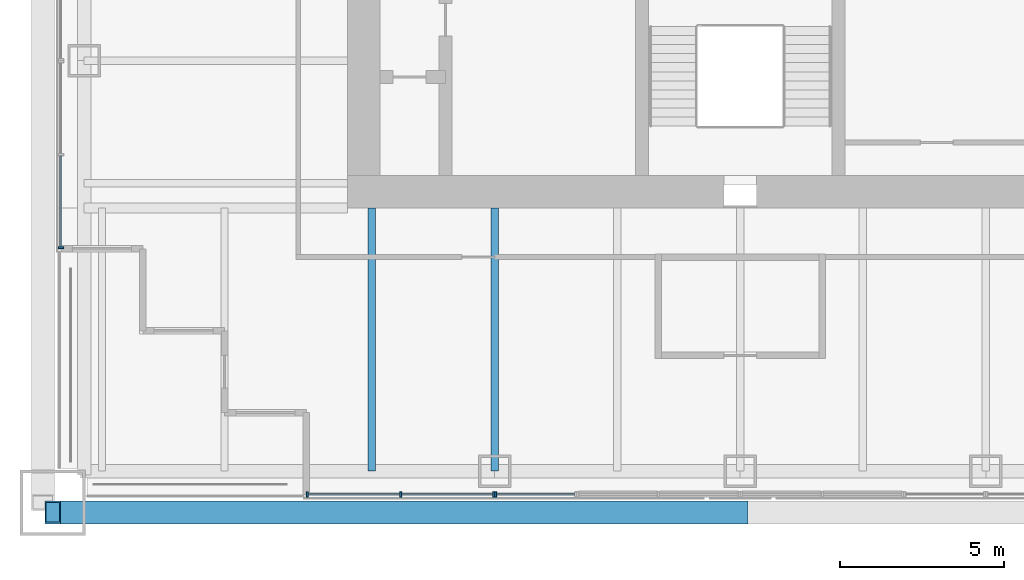
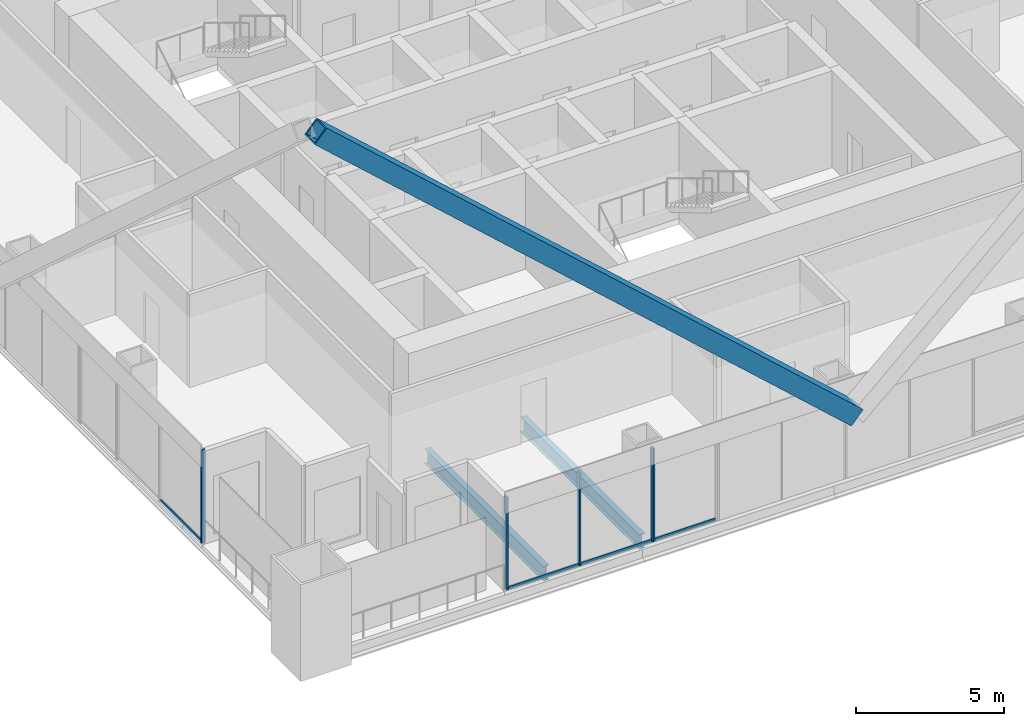
# One storey, part 2 of 19: 10 members, 2 beams, 3 elements without a shape of their own.
"""IFC4 building model written with IfcOpenShell, lengths in metres."""

from ifc_helpers import new_model, si_unit, direction, frame, origin, origin_2d, place, context, subcontext, project, spatial, rectangle, hollow_rectangle, i_section, extrude, material, material_profile, profile_set, type_object, element, aggregate, save


model = new_model("IFC4")

# Units and contexts
model_context = context("Model", 3, precision=1e-05, world=origin(), true_north=direction((0.0, 1.0)))
body_context = subcontext(model_context, "Body", "Model", "MODEL_VIEW")
ifc_project = project(units=[si_unit("LENGTHUNIT", "METRE"), si_unit("AREAUNIT", "SQUARE_METRE"), si_unit("VOLUMEUNIT", "CUBIC_METRE"), si_unit("PLANEANGLEUNIT", "RADIAN"), si_unit("MASSUNIT", "GRAM", prefix="KILO")], contexts=[model_context])

# Site, building, storey
site_placement = place(None, origin())
site = spatial("IfcSite", under=ifc_project, at=site_placement, CompositionType="ELEMENT")
building_placement = place(site_placement, origin())
building = spatial("IfcBuilding", under=site, at=building_placement, Name="Tarangal Relay Tower", CompositionType="ELEMENT")
storey_placement = place(building_placement, frame((0.0, 0.0, 275.89990234375)))
storey = spatial("IfcBuildingStorey", under=building, at=storey_placement, Name="L60", CompositionType="ELEMENT", Elevation=275.89990234375)

# Beams
ifc_material_1 = material(Name="Steel ASTM A992", Category="steel")
ifc_material_profile_1 = material_profile(ifc_material_1, i_section(OverallWidth=0.228271484375, OverallDepth=0.607177734375, WebThickness=0.01123046875, FlangeThickness=0.017333984375, at=origin_2d()), Name="W24X76")
ifc_profile_set_1 = profile_set([ifc_material_profile_1], Name="Steel ASTM A992")
beam_type = type_object("IfcBeamType", Name="Floor beam W24X76", PredefinedType="BEAM", material=ifc_profile_set_1)
for number, where, z_axis, x_axis, name in (
    (1, (-7.5, -12.0, -0.453369140625), (0.0, -1.0, 0.0), (1.0, 0.0, 0.0), "Floor beam RB5 S L60"),
    (2, (-11.25, -12.0, -0.453369140625), (0.0, -1.0, 0.0), (1.0, 0.0, 0.0), "Floor beam RB5 S L60"),
):
    element("IfcBeam", number, at=place(storey_placement, frame(where, z_axis=z_axis, x_axis=x_axis)), inside=storey, type_object=beam_type, Name=name, PredefinedType="BEAM", context=body_context, shape_type="SweptSolid", body=[
        extrude(i_section(OverallWidth=0.228271484375, OverallDepth=0.607177734375, WebThickness=0.01123046875, FlangeThickness=0.017333984375, at=origin_2d()), origin(), (0.0, 0.0, 1.0), 8.0400390625),
    ])

# Member
ifc_material_2 = material(Name="Steel ASTM A572 Grade 50", Category="steel")
ifc_material_profile_2 = material_profile(ifc_material_2, hollow_rectangle(XDim=0.699951171875, YDim=0.699951171875, WallThickness=0.052001953125, at=origin_2d()), Name="BOX700X700X52")
ifc_profile_set_2 = profile_set([ifc_material_profile_2], Name="Steel ASTM A572 Grade 50")
member_type_1 = type_object("IfcMemberType", Name="Mega brace BOX700X700X52", PredefinedType="BRACE", material=ifc_profile_set_2)
member_1_placement = place(storey_placement, frame((0.0, -21.300048828125, 3.0), z_axis=(-0.741535779124, 0.0, 0.670913323969), x_axis=(0.0, -1.0, 0.0)))
element("IfcMember", 3, at=member_1_placement, inside=storey, type_object=member_type_1, Name="Mega brace MB4 S face module 1", PredefinedType="BRACE", context=body_context, shape_type="SweptSolid", body=[
    extrude(hollow_rectangle(XDim=0.699951171875, YDim=0.699951171875, WallThickness=0.052001953125, at=origin_2d()), origin(), (0.0, 0.0, 1.0), 28.319580078125),
])

# Curtain wall, member
ifc_material_3 = material(Name="Unitised curtain wall, dark glass and black aluminium", Category="aluminium")
curtain_wall_type = type_object("IfcCurtainWallType", Name="Curtain wall CW-B", PredefinedType="USERDEFINED", material=ifc_material_3)
curtain_wall_1_placement = place(storey_placement, origin())
curtain_wall_1 = element("IfcCurtainWall", 4, at=curtain_wall_1_placement, inside=storey, type_object=curtain_wall_type, Name="Curtain wall CW-B S facade L60", ObjectType="UNITISED CURTAIN WALL", PredefinedType="USERDEFINED")
ifc_material_4 = material(Name="Black anodised aluminium mullion", Category="aluminium")
ifc_material_profile_3 = material_profile(ifc_material_4, rectangle(XDim=0.159912109375, YDim=0.06005859375, at=origin_2d()), Name="CW-BM 60X160")
ifc_profile_set_3 = profile_set([ifc_material_profile_3], Name="Black anodised aluminium mullion")
member_type_2 = type_object("IfcMemberType", Name="Mullion CW-B 60 x 160", PredefinedType="MULLION", material=ifc_profile_set_3)
member_2_placement = place(storey_placement, frame((-7.469970703125, -20.75, 0.0), z_axis=(0.0, 0.0, 1.0), x_axis=(0.0, -1.0, 0.0)))
member_2 = element("IfcMember", 5, at=member_2_placement, type_object=member_type_2, Name="CW-B mullion 2", PredefinedType="MULLION", context=body_context, shape_type="SweptSolid", body=[
    extrude(rectangle(XDim=0.159912109375, YDim=0.06005859375, at=origin_2d()), origin(), (0.0, 0.0, 1.0), 3.85009765625),
])

# Curtain wall, members
curtain_wall_2_placement = place(storey_placement, origin())
curtain_wall_2 = element("IfcCurtainWall", 6, at=curtain_wall_2_placement, inside=storey, type_object=curtain_wall_type, Name="Curtain wall CW-B S facade L60", ObjectType="UNITISED CURTAIN WALL", PredefinedType="USERDEFINED")
member_3_placement = place(storey_placement, frame((-7.530029296875, -20.75, 0.0), z_axis=(0.0, 0.0, 1.0), x_axis=(0.0, -1.0, 0.0)))
member_3 = element("IfcMember", 7, at=member_3_placement, type_object=member_type_2, Name="CW-B mullion 1", PredefinedType="MULLION", context=body_context, shape_type="SweptSolid", body=[
    extrude(rectangle(XDim=0.159912109375, YDim=0.06005859375, at=origin_2d()), origin(), (0.0, 0.0, 1.0), 3.85009765625),
])
member_4_placement = place(storey_placement, frame((-10.375, -20.75, 0.0), z_axis=(0.0, 0.0, 1.0), x_axis=(0.0, -1.0, 0.0)))
member_4 = element("IfcMember", 8, at=member_4_placement, type_object=member_type_2, Name="CW-B mullion 2", PredefinedType="MULLION", context=body_context, shape_type="SweptSolid", body=[
    extrude(rectangle(XDim=0.159912109375, YDim=0.06005859375, at=origin_2d()), origin(), (0.0, 0.0, 1.0), 3.85009765625),
])
member_5_placement = place(storey_placement, frame((-13.219970703125, -20.75, 0.0), z_axis=(0.0, 0.0, 1.0), x_axis=(0.0, -1.0, 0.0)))
member_5 = element("IfcMember", 9, at=member_5_placement, type_object=member_type_2, Name="CW-B mullion 3", PredefinedType="MULLION", context=body_context, shape_type="SweptSolid", body=[
    extrude(rectangle(XDim=0.159912109375, YDim=0.06005859375, at=origin_2d()), origin(), (0.0, 0.0, 1.0), 3.85009765625),
])

# Curtain wall, member
curtain_wall_3_placement = place(storey_placement, origin())
curtain_wall_3 = element("IfcCurtainWall", 10, at=curtain_wall_3_placement, inside=storey, type_object=curtain_wall_type, Name="Curtain wall CW-B W facade L60", ObjectType="UNITISED CURTAIN WALL", PredefinedType="USERDEFINED")
member_6_placement = place(storey_placement, frame((-20.75, -13.219970703125, 0.0), z_axis=(0.0, 0.0, 1.0), x_axis=(-1.0, 0.0, 0.0)))
member_6 = element("IfcMember", 11, at=member_6_placement, type_object=member_type_2, Name="CW-B mullion 1", PredefinedType="MULLION", context=body_context, shape_type="SweptSolid", body=[
    extrude(rectangle(XDim=0.159912109375, YDim=0.06005859375, at=origin_2d()), origin(), (0.0, 0.0, 1.0), 3.85009765625),
])

# Member
ifc_material_5 = material(Name="Black anodised aluminium transom", Category="aluminium")
ifc_material_profile_4 = material_profile(ifc_material_5, rectangle(XDim=0.06005859375, YDim=0.1298828125, at=origin_2d()), Name="CW-BT 60X130")
ifc_profile_set_4 = profile_set([ifc_material_profile_4], Name="Black anodised aluminium transom")
member_type_3 = type_object("IfcMemberType", Name="Transom CW-B 60 x 130", PredefinedType="USERDEFINED", material=ifc_profile_set_4)
member_7_placement = place(storey_placement, frame((-5.06005859375, -20.75, 0.030029296875), z_axis=(-1.0, 0.0, 0.0), x_axis=(0.0, -1.0, 0.0)))
member_7 = element("IfcMember", 12, at=member_7_placement, type_object=member_type_3, Name="CW-B transom 1.1", ObjectType="TRANSOM", PredefinedType="USERDEFINED", context=body_context, shape_type="SweptSolid", body=[
    extrude(rectangle(XDim=0.06005859375, YDim=0.1298828125, at=origin_2d()), origin(), (0.0, 0.0, 1.0), 2.3798828125),
])

aggregate(curtain_wall_1, [member_2, member_7])

member_8_placement = place(storey_placement, frame((-7.56005859375, -20.75, 0.030029296875), z_axis=(-1.0, 0.0, 0.0), x_axis=(0.0, -1.0, 0.0)))
member_8 = element("IfcMember", 13, at=member_8_placement, type_object=member_type_3, Name="CW-B transom 1.1", ObjectType="TRANSOM", PredefinedType="USERDEFINED", context=body_context, shape_type="SweptSolid", body=[
    extrude(rectangle(XDim=0.06005859375, YDim=0.1298828125, at=origin_2d()), origin(), (0.0, 0.0, 1.0), 2.784912109375),
])

member_9_placement = place(storey_placement, frame((-10.405029296875, -20.75, 0.030029296875), z_axis=(-1.0, 0.0, 0.0), x_axis=(0.0, -1.0, 0.0)))
member_9 = element("IfcMember", 14, at=member_9_placement, type_object=member_type_3, Name="CW-B transom 2.1", ObjectType="TRANSOM", PredefinedType="USERDEFINED", context=body_context, shape_type="SweptSolid", body=[
    extrude(rectangle(XDim=0.06005859375, YDim=0.1298828125, at=origin_2d()), origin(), (0.0, 0.0, 1.0), 2.784912109375),
])

aggregate(curtain_wall_2, [member_3, member_4, member_5, member_8, member_9])

member_10_placement = place(storey_placement, frame((-20.75, -13.18994140625, 0.030029296875), z_axis=(0.0, 1.0, 0.0), x_axis=(-1.0, 0.0, 0.0)))
member_10 = element("IfcMember", 15, at=member_10_placement, type_object=member_type_3, Name="CW-B transom 1.1", ObjectType="TRANSOM", PredefinedType="USERDEFINED", context=body_context, shape_type="SweptSolid", body=[
    extrude(rectangle(XDim=0.06005859375, YDim=0.1298828125, at=origin_2d()), origin(), (0.0, 0.0, 1.0), 2.784912109375),
])

aggregate(curtain_wall_3, [member_6, member_10])

save(model, "model.ifc")
